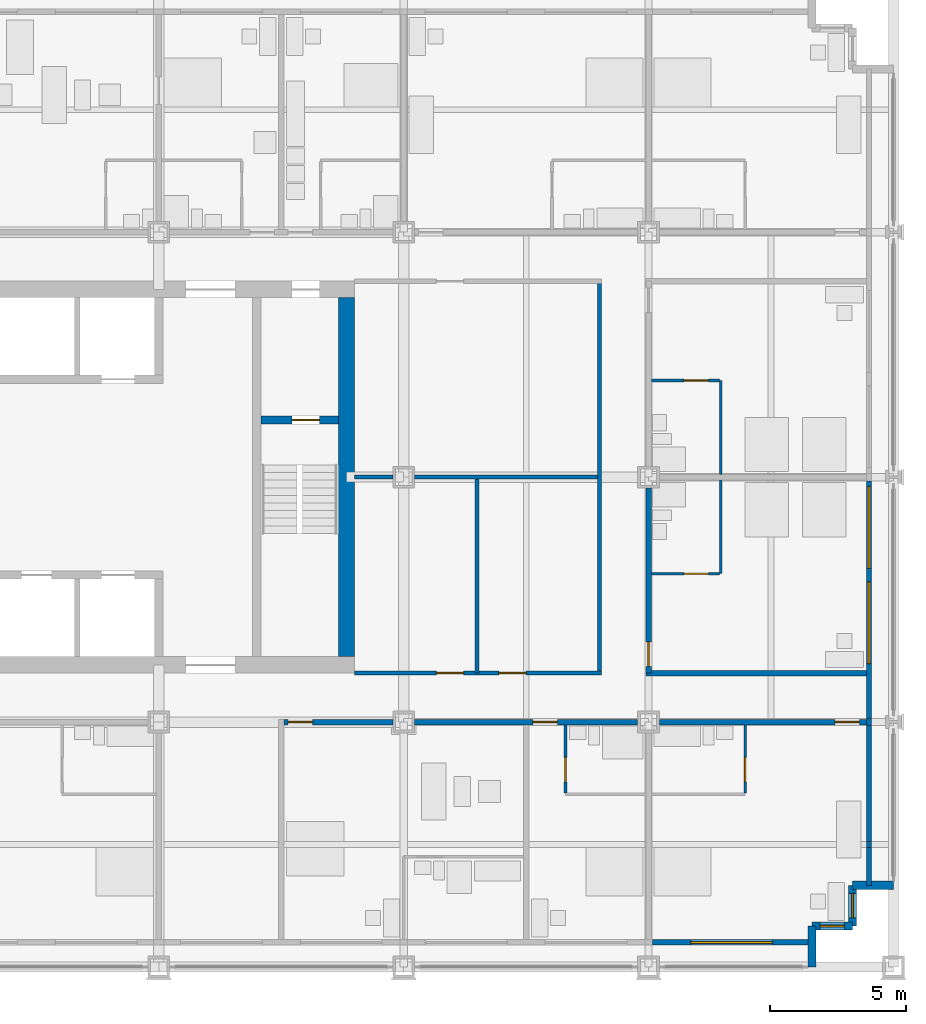
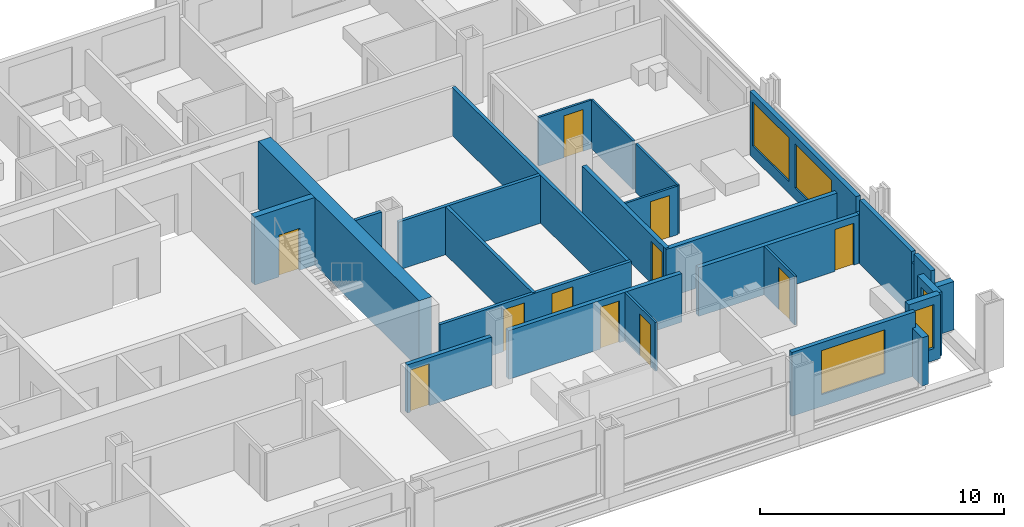
# One storey, part 13 of 18: 28 walls, 11 doors, 5 windows, 16 openings.
"""IFC4 building model written with IfcOpenShell, lengths in metres."""

from ifc_helpers import new_model, si_unit, direction, frame, frame_2d, origin, place, context, subcontext, project, spatial, rectangle, extrude, material, layer, layer_set, type_object, element, fill, save


model = new_model("IFC4")

# Units and contexts
model_context = context("Model", 3, precision=1e-05, world=origin(), true_north=direction((0.0, 1.0)))
body_context = subcontext(model_context, "Body", "Model", "MODEL_VIEW")
ifc_project = project(units=[si_unit("LENGTHUNIT", "METRE"), si_unit("AREAUNIT", "SQUARE_METRE"), si_unit("VOLUMEUNIT", "CUBIC_METRE"), si_unit("PLANEANGLEUNIT", "RADIAN"), si_unit("MASSUNIT", "GRAM", prefix="KILO")], contexts=[model_context])

# Site, building, storey
site_placement = place(None, origin())
site = spatial("IfcSite", under=ifc_project, at=site_placement, CompositionType="ELEMENT")
building_placement = place(site_placement, origin())
building = spatial("IfcBuilding", under=site, at=building_placement, Name="Loomwork Tower", CompositionType="ELEMENT")
storey_placement = place(building_placement, frame((0.0, 0.0, 34.800048828125)))
storey = spatial("IfcBuildingStorey", under=building, at=storey_placement, Name="L07", CompositionType="ELEMENT", Elevation=34.800048828125)

# Wall, opening, door
ifc_material_1 = material(Name="Concrete 14000 psi (97 MPa)", Category="concrete")
ifc_layer_1 = layer(ifc_material_1, 0.300048828125)
ifc_layer_set_1 = layer_set([ifc_layer_1], Name="Core shear wall 300")
wall_type_1 = type_object("IfcWallType", Name="Core shear wall 300", PredefinedType="SHEAR", material=ifc_layer_set_1)
wall_1_placement = place(storey_placement, frame((30.75, 20.10009765625, 0.0), z_axis=(0.0, 0.0, 1.0), x_axis=(1.0, 0.0, 0.0)))
wall_1 = element("IfcWall", 1, at=wall_1_placement, inside=storey, type_object=wall_type_1, Name="Stair B north wall L07", PredefinedType="SHEAR", context=body_context, shape_type="SweptSolid", body=[
    extrude(rectangle(XDim=2.85009765625, YDim=0.300048828125, at=frame_2d((1.425048828125, 0.0))), origin(), (0.0, 0.0, 1.0), 3.39990234375),
])
opening_1_placement = place(wall_1_placement, frame((1.14990234375, 0.0, 0.0)))
opening_1 = element("IfcOpeningElement", 2, at=opening_1_placement, cuts=wall_1, Name="Opening D4", PredefinedType="OPENING", context=body_context, shape_type="SweptSolid", body=[
    extrude(rectangle(XDim=1.0, YDim=2.10009765625, at=frame_2d((0.5, 1.050048828125))), frame((0.0, 0.159912109375, 0.0), z_axis=(0.0, -1.0, 0.0), x_axis=(1.0, 0.0, 0.0)), (0.0, 0.0, 1.0), 0.320068359375),
])
ifc_material_2 = material(Name="Hollow metal door and frame")
door_type_1 = type_object("IfcDoorType", Name="Stair door 1000", OperationType="SINGLE_SWING_RIGHT", PredefinedType="DOOR", material=ifc_material_2)
door_1_placement = place(opening_1_placement, frame((1.0, 0.0, 0.0), z_axis=(0.0, 0.0, 1.0), x_axis=(-1.0, 0.0, 0.0)))
door_1 = element("IfcDoor", 3, at=door_1_placement, inside=storey, type_object=door_type_1, Name="Stair B door", OperationType="SINGLE_SWING_LEFT", OverallHeight=2.10009765625, OverallWidth=1.0, PredefinedType="DOOR", context=body_context, shape_type="SweptSolid", body=[
    extrude(rectangle(XDim=1.0, YDim=2.10009765625, at=frame_2d((0.5, 1.050048828125))), frame((0.0, 0.02490234375, 0.0), z_axis=(0.0, -1.0, 0.0), x_axis=(1.0, 0.0, 0.0)), (0.0, 0.0, 1.0), 0.050048828125),
])
fill(opening_1, door_1)

# Wall
ifc_material_3 = material(Name="Concrete 14000 psi (97 MPa)", Category="concrete")
ifc_layer_2 = layer(ifc_material_3, 0.60009765625)
ifc_layer_set_2 = layer_set([ifc_layer_2], Name="Core shear wall 600")
wall_type_2 = type_object("IfcWallType", Name="Core shear wall 600", PredefinedType="SHEAR", material=ifc_layer_set_2)
wall_2_placement = place(storey_placement, frame((33.89990234375, 11.39990234375, 0.0), z_axis=(0.0, 0.0, 1.0), x_axis=(0.0, 1.0, 0.0)))
element("IfcWall", 4, at=wall_2_placement, inside=storey, type_object=wall_type_2, Name="Core wall east L07", PredefinedType="SHEAR", context=body_context, shape_type="SweptSolid", body=[
    extrude(rectangle(XDim=13.2001953125, YDim=0.60009765625, at=frame_2d((6.60009765625, 0.0))), origin(), (0.0, 0.0, 1.0), 3.39990234375),
])

# Wall, opening, door
ifc_material_4 = material(Name="Gypsum board on steel studs, one-hour", Category="steel")
ifc_layer_3 = layer(ifc_material_4, 0.199951171875)
ifc_layer_set_3 = layer_set([ifc_layer_3], Name="Corridor wall 200")
wall_type_3 = type_object("IfcWallType", Name="Corridor wall 200", PredefinedType="PARTITIONING", material=ifc_layer_set_3)
wall_3_placement = place(storey_placement, frame((31.60009765625, 9.0, 0.0), z_axis=(0.0, 0.0, 1.0), x_axis=(1.0, 0.0, 0.0)))
wall_3 = element("IfcWall", 5, at=wall_3_placement, inside=storey, type_object=wall_type_3, Name="South corridor wall 4", PredefinedType="PARTITIONING", context=body_context, shape_type="SweptSolid", body=[
    extrude(rectangle(XDim=4.0, YDim=0.199951171875, at=frame_2d((2.0, 0.0))), origin(), (0.0, 0.0, 1.0), 2.405029296875),
])
opening_2_placement = place(wall_3_placement, frame((0.14990234375, 0.0, 0.0)))
opening_2 = element("IfcOpeningElement", 6, at=opening_2_placement, cuts=wall_3, Name="Opening D1", PredefinedType="OPENING", context=body_context, shape_type="SweptSolid", body=[
    extrude(rectangle(XDim=0.89990234375, YDim=2.10009765625, at=frame_2d((0.449951171875, 1.050048828125))), frame((0.0, 0.10986328125, 0.0), z_axis=(0.0, -1.0, 0.0), x_axis=(1.0, 0.0, 0.0)), (0.0, 0.0, 1.0), 0.219970703125),
])
ifc_material_5 = material(Name="Hollow metal door and frame")
door_type_2 = type_object("IfcDoorType", Name="Guest room entry door 900", OperationType="SINGLE_SWING_LEFT", PredefinedType="DOOR", material=ifc_material_5)
door_2_placement = place(opening_2_placement, frame((0.89990234375, 0.0, 0.0), z_axis=(0.0, 0.0, 1.0), x_axis=(-1.0, 0.0, 0.0)))
door_2 = element("IfcDoor", 7, at=door_2_placement, inside=storey, type_object=door_type_2, Name="Guest room entry door L07 5", OperationType="SINGLE_SWING_RIGHT", OverallHeight=2.10009765625, OverallWidth=0.89990234375, PredefinedType="DOOR", context=body_context, shape_type="SweptSolid", body=[
    extrude(rectangle(XDim=0.89990234375, YDim=2.10009765625, at=frame_2d((0.449951171875, 1.050048828125))), frame((0.0, 0.02490234375, 0.0), z_axis=(0.0, -1.0, 0.0), x_axis=(1.0, 0.0, 0.0)), (0.0, 0.0, 1.0), 0.050048828125),
])
fill(opening_2, door_2)

wall_4_placement = place(storey_placement, frame((36.39990234375, 9.0, 0.0), z_axis=(0.0, 0.0, 1.0), x_axis=(1.0, 0.0, 0.0)))
wall_4 = element("IfcWall", 8, at=wall_4_placement, inside=storey, type_object=wall_type_3, Name="South corridor wall 5", PredefinedType="PARTITIONING", context=body_context, shape_type="SweptSolid", body=[
    extrude(rectangle(XDim=8.2001953125, YDim=0.199951171875, at=frame_2d((4.10009765625, 0.0))), origin(), (0.0, 0.0, 1.0), 2.43798828125),
])
opening_3_placement = place(wall_4_placement, frame((4.35009765625, 0.0, 0.0)))
opening_3 = element("IfcOpeningElement", 9, at=opening_3_placement, cuts=wall_4, Name="Opening D1", PredefinedType="OPENING", context=body_context, shape_type="SweptSolid", body=[
    extrude(rectangle(XDim=0.89990234375, YDim=2.10009765625, at=frame_2d((0.449951171875, 1.050048828125))), frame((0.0, 0.10986328125, 0.0), z_axis=(0.0, -1.0, 0.0), x_axis=(1.0, 0.0, 0.0)), (0.0, 0.0, 1.0), 0.219970703125),
])
door_3_placement = place(opening_3_placement, frame((0.89990234375, 0.0, 0.0), z_axis=(0.0, 0.0, 1.0), x_axis=(-1.0, 0.0, 0.0)))
door_3 = element("IfcDoor", 10, at=door_3_placement, inside=storey, type_object=door_type_2, Name="Guest room entry door L07 6", OperationType="SINGLE_SWING_RIGHT", OverallHeight=2.10009765625, OverallWidth=0.89990234375, PredefinedType="DOOR", context=body_context, shape_type="SweptSolid", body=[
    extrude(rectangle(XDim=0.89990234375, YDim=2.10009765625, at=frame_2d((0.449951171875, 1.050048828125))), frame((0.0, 0.02490234375, 0.0), z_axis=(0.0, -1.0, 0.0), x_axis=(1.0, 0.0, 0.0)), (0.0, 0.0, 1.0), 0.050048828125),
])
fill(opening_3, door_3)

wall_5_placement = place(storey_placement, frame((45.39990234375, 9.0, 0.0), z_axis=(0.0, 0.0, 1.0), x_axis=(1.0, 0.0, 0.0)))
wall_5 = element("IfcWall", 11, at=wall_5_placement, inside=storey, type_object=wall_type_3, Name="South corridor wall 6", PredefinedType="PARTITIONING", context=body_context, shape_type="SweptSolid", body=[
    extrude(rectangle(XDim=7.60009765625, YDim=0.199951171875, at=frame_2d((3.800048828125, 0.0))), origin(), (0.0, 0.0, 1.0), 2.43798828125),
])
opening_4_placement = place(wall_5_placement, frame((6.449951171875, 0.0, 0.0)))
opening_4 = element("IfcOpeningElement", 12, at=opening_4_placement, cuts=wall_5, Name="Opening D1", PredefinedType="OPENING", context=body_context, shape_type="SweptSolid", body=[
    extrude(rectangle(XDim=0.89990234375, YDim=2.10009765625, at=frame_2d((0.449951171875, 1.050048828125))), frame((0.0, 0.10986328125, 0.0), z_axis=(0.0, -1.0, 0.0), x_axis=(1.0, 0.0, 0.0)), (0.0, 0.0, 1.0), 0.219970703125),
])
door_4_placement = place(opening_4_placement, frame((0.89990234375, 0.0, 0.0), z_axis=(0.0, 0.0, 1.0), x_axis=(-1.0, 0.0, 0.0)))
door_4 = element("IfcDoor", 13, at=door_4_placement, inside=storey, type_object=door_type_2, Name="Guest room entry door L07 7", OperationType="SINGLE_SWING_LEFT", OverallHeight=2.10009765625, OverallWidth=0.89990234375, PredefinedType="DOOR", context=body_context, shape_type="SweptSolid", body=[
    extrude(rectangle(XDim=0.89990234375, YDim=2.10009765625, at=frame_2d((0.449951171875, 1.050048828125))), frame((0.0, 0.02490234375, 0.0), z_axis=(0.0, -1.0, 0.0), x_axis=(1.0, 0.0, 0.0)), (0.0, 0.0, 1.0), 0.050048828125),
])
fill(opening_4, door_4)

wall_6_placement = place(storey_placement, frame((45.0, 10.800048828125, 0.0), z_axis=(0.0, 0.0, 1.0), x_axis=(0.0, 1.0, 0.0)))
wall_6 = element("IfcWall", 14, at=wall_6_placement, inside=storey, type_object=wall_type_3, Name="East corridor wall 1", PredefinedType="PARTITIONING", context=body_context, shape_type="SweptSolid", body=[
    extrude(rectangle(XDim=6.800048828125, YDim=0.199951171875, at=frame_2d((3.39990234375, 0.0))), origin(), (0.0, 0.0, 1.0), 2.43798828125),
])
opening_5_placement = place(wall_6_placement, frame((0.25, 0.0, 0.0)))
opening_5 = element("IfcOpeningElement", 15, at=opening_5_placement, cuts=wall_6, Name="Opening D1", PredefinedType="OPENING", context=body_context, shape_type="SweptSolid", body=[
    extrude(rectangle(XDim=0.89990234375, YDim=2.10009765625, at=frame_2d((0.449951171875, 1.050048828125))), frame((0.0, 0.10986328125, 0.0), z_axis=(0.0, -1.0, 0.0), x_axis=(1.0, 0.0, 0.0)), (0.0, 0.0, 1.0), 0.219970703125),
])
door_5_placement = place(opening_5_placement, frame((0.89990234375, 0.0, 0.0), z_axis=(0.0, 0.0, 1.0), x_axis=(-1.0, 0.0, 0.0)))
door_5 = element("IfcDoor", 16, at=door_5_placement, inside=storey, type_object=door_type_2, Name="Guest room entry door L07 18", OperationType="SINGLE_SWING_RIGHT", OverallHeight=2.10009765625, OverallWidth=0.89990234375, PredefinedType="DOOR", context=body_context, shape_type="SweptSolid", body=[
    extrude(rectangle(XDim=0.89990234375, YDim=2.10009765625, at=frame_2d((0.449951171875, 1.050048828125))), frame((0.0, 0.02490234375, 0.0), z_axis=(0.0, -1.0, 0.0), x_axis=(1.0, 0.0, 0.0)), (0.0, 0.0, 1.0), 0.050048828125),
])
fill(opening_5, door_5)

# Wall
wall_7_placement = place(storey_placement, frame((44.89990234375, 10.800048828125, 0.0), z_axis=(0.0, 0.0, 1.0), x_axis=(1.0, 0.0, 0.0)))
element("IfcWall", 17, at=wall_7_placement, inside=storey, type_object=wall_type_3, Name="East band end wall S", PredefinedType="PARTITIONING", context=body_context, shape_type="SweptSolid", body=[
    extrude(rectangle(XDim=8.10009765625, YDim=0.199951171875, at=frame_2d((4.050048828125, 0.0))), origin(), (0.0, 0.0, 1.0), 2.43798828125),
])

# Wall, opening, door
ifc_material_6 = material(Name="Cement board on steel studs", Category="steel")
ifc_layer_4 = layer(ifc_material_6, 0.10009765625)
ifc_layer_set_4 = layer_set([ifc_layer_4], Name="En-suite partition 100")
wall_type_4 = type_object("IfcWallType", Name="En-suite partition 100", PredefinedType="PARTITIONING", material=ifc_layer_set_4)
wall_8_placement = place(storey_placement, frame((41.949951171875, 8.89990234375, 0.0), z_axis=(0.0, 0.0, 1.0), x_axis=(0.0, -1.0, 0.0)))
wall_8 = element("IfcWall", 18, at=wall_8_placement, inside=storey, type_object=wall_type_4, Name="En-suite side wall L07 room 6", PredefinedType="PARTITIONING", context=body_context, shape_type="SweptSolid", body=[
    extrude(rectangle(XDim=2.5, YDim=0.10009765625, at=frame_2d((1.25, 0.0))), origin(), (0.0, 0.0, 1.0), 2.43798828125),
])
opening_6_placement = place(wall_8_placement, frame((1.199951171875, 0.0, 0.0)))
opening_6 = element("IfcOpeningElement", 19, at=opening_6_placement, cuts=wall_8, Name="Opening D3", PredefinedType="OPENING", context=body_context, shape_type="SweptSolid", body=[
    extrude(rectangle(XDim=0.89990234375, YDim=2.10009765625, at=frame_2d((0.449951171875, 1.050048828125))), frame((0.0, 0.06005859375, 0.0), z_axis=(0.0, -1.0, 0.0), x_axis=(1.0, 0.0, 0.0)), (0.0, 0.0, 1.0), 0.1201171875),
])
ifc_material_7 = material(Name="Hollow metal door and frame")
door_type_3 = type_object("IfcDoorType", Name="Accessible en-suite door 900", OperationType="SLIDING_TO_LEFT", PredefinedType="DOOR", material=ifc_material_7)
door_6_placement = place(opening_6_placement, origin())
door_6 = element("IfcDoor", 20, at=door_6_placement, inside=storey, type_object=door_type_3, Name="Accessible en-suite door room 6", OperationType="SLIDING_TO_LEFT", OverallHeight=2.10009765625, OverallWidth=0.89990234375, PredefinedType="DOOR", context=body_context, shape_type="SweptSolid", body=[
    extrude(rectangle(XDim=0.89990234375, YDim=2.10009765625, at=frame_2d((0.449951171875, 1.050048828125))), frame((0.0, 0.02490234375, 0.0), z_axis=(0.0, -1.0, 0.0), x_axis=(1.0, 0.0, 0.0)), (0.0, 0.0, 1.0), 0.050048828125),
])
fill(opening_6, door_6)

wall_9_placement = place(storey_placement, frame((48.550048828125, 8.89990234375, 0.0), z_axis=(0.0, 0.0, 1.0), x_axis=(0.0, -1.0, 0.0)))
wall_9 = element("IfcWall", 21, at=wall_9_placement, inside=storey, type_object=wall_type_4, Name="En-suite side wall L07 room 7", PredefinedType="PARTITIONING", context=body_context, shape_type="SweptSolid", body=[
    extrude(rectangle(XDim=2.5, YDim=0.10009765625, at=frame_2d((1.25, 0.0))), origin(), (0.0, 0.0, 1.0), 2.43798828125),
])
opening_7_placement = place(wall_9_placement, frame((1.199951171875, 0.0, 0.0)))
opening_7 = element("IfcOpeningElement", 22, at=opening_7_placement, cuts=wall_9, Name="Opening D2", PredefinedType="OPENING", context=body_context, shape_type="SweptSolid", body=[
    extrude(rectangle(XDim=0.89990234375, YDim=2.10009765625, at=frame_2d((0.449951171875, 1.050048828125))), frame((0.0, 0.06005859375, 0.0), z_axis=(0.0, -1.0, 0.0), x_axis=(1.0, 0.0, 0.0)), (0.0, 0.0, 1.0), 0.1201171875),
])
ifc_material_8 = material(Name="Hollow metal door and frame")
door_type_4 = type_object("IfcDoorType", Name="En-suite door 900", OperationType="SINGLE_SWING_LEFT", PredefinedType="DOOR", material=ifc_material_8)
door_7_placement = place(opening_7_placement, frame((0.89990234375, 0.0, 0.0), z_axis=(0.0, 0.0, 1.0), x_axis=(-1.0, 0.0, 0.0)))
door_7 = element("IfcDoor", 23, at=door_7_placement, inside=storey, type_object=door_type_4, Name="En-suite door room 7", OperationType="SINGLE_SWING_LEFT", OverallHeight=2.10009765625, OverallWidth=0.89990234375, PredefinedType="DOOR", context=body_context, shape_type="SweptSolid", body=[
    extrude(rectangle(XDim=0.89990234375, YDim=2.10009765625, at=frame_2d((0.449951171875, 1.050048828125))), frame((0.0, 0.02490234375, 0.0), z_axis=(0.0, -1.0, 0.0), x_axis=(1.0, 0.0, 0.0)), (0.0, 0.0, 1.0), 0.050048828125),
])
fill(opening_7, door_7)

# Wall
wall_10_placement = place(storey_placement, frame((47.64990234375, 14.449951171875, 0.0), z_axis=(0.0, 0.0, 1.0), x_axis=(0.0, 1.0, 0.0)))
element("IfcWall", 24, at=wall_10_placement, inside=storey, type_object=wall_type_4, Name="En-suite wall L07 room 18", PredefinedType="PARTITIONING", context=body_context, shape_type="SweptSolid", body=[
    extrude(rectangle(XDim=3.449951171875, YDim=0.10009765625, at=frame_2d((1.72509765625, 0.0))), origin(), (0.0, 0.0, 1.0), 2.43798828125),
])

# Wall, opening, door
wall_11_placement = place(storey_placement, frame((45.10009765625, 14.449951171875, 0.0), z_axis=(0.0, 0.0, 1.0), x_axis=(1.0, 0.0, 0.0)))
wall_11 = element("IfcWall", 25, at=wall_11_placement, inside=storey, type_object=wall_type_4, Name="En-suite side wall L07 room 18", PredefinedType="PARTITIONING", context=body_context, shape_type="SweptSolid", body=[
    extrude(rectangle(XDim=2.5, YDim=0.10009765625, at=frame_2d((1.25, 0.0))), origin(), (0.0, 0.0, 1.0), 2.43798828125),
])
opening_8_placement = place(wall_11_placement, frame((1.199951171875, 0.0, 0.0)))
opening_8 = element("IfcOpeningElement", 26, at=opening_8_placement, cuts=wall_11, Name="Opening D2", PredefinedType="OPENING", context=body_context, shape_type="SweptSolid", body=[
    extrude(rectangle(XDim=0.89990234375, YDim=2.10009765625, at=frame_2d((0.449951171875, 1.050048828125))), frame((0.0, 0.06005859375, 0.0), z_axis=(0.0, -1.0, 0.0), x_axis=(1.0, 0.0, 0.0)), (0.0, 0.0, 1.0), 0.1201171875),
])
door_8_placement = place(opening_8_placement, origin())
door_8 = element("IfcDoor", 27, at=door_8_placement, inside=storey, type_object=door_type_4, Name="En-suite door room 18", OperationType="SINGLE_SWING_RIGHT", OverallHeight=2.10009765625, OverallWidth=0.89990234375, PredefinedType="DOOR", context=body_context, shape_type="SweptSolid", body=[
    extrude(rectangle(XDim=0.89990234375, YDim=2.10009765625, at=frame_2d((0.449951171875, 1.050048828125))), frame((0.0, 0.02490234375, 0.0), z_axis=(0.0, -1.0, 0.0), x_axis=(1.0, 0.0, 0.0)), (0.0, 0.0, 1.0), 0.050048828125),
])
fill(opening_8, door_8)

# Wall
wall_12_placement = place(storey_placement, frame((47.64990234375, 18.10009765625, 0.0), z_axis=(0.0, 0.0, 1.0), x_axis=(0.0, 1.0, 0.0)))
element("IfcWall", 28, at=wall_12_placement, inside=storey, type_object=wall_type_4, Name="En-suite wall L07 room 19", PredefinedType="PARTITIONING", context=body_context, shape_type="SweptSolid", body=[
    extrude(rectangle(XDim=3.449951171875, YDim=0.10009765625, at=frame_2d((1.72509765625, 0.0))), origin(), (0.0, 0.0, 1.0), 2.43798828125),
])

# Wall, opening, door
wall_13_placement = place(storey_placement, frame((45.10009765625, 21.550048828125, 0.0), z_axis=(0.0, 0.0, 1.0), x_axis=(1.0, 0.0, 0.0)))
wall_13 = element("IfcWall", 29, at=wall_13_placement, inside=storey, type_object=wall_type_4, Name="En-suite side wall L07 room 19", PredefinedType="PARTITIONING", context=body_context, shape_type="SweptSolid", body=[
    extrude(rectangle(XDim=2.5, YDim=0.10009765625, at=frame_2d((1.25, 0.0))), origin(), (0.0, 0.0, 1.0), 2.43798828125),
])
opening_9_placement = place(wall_13_placement, frame((1.199951171875, 0.0, 0.0)))
opening_9 = element("IfcOpeningElement", 30, at=opening_9_placement, cuts=wall_13, Name="Opening D2", PredefinedType="OPENING", context=body_context, shape_type="SweptSolid", body=[
    extrude(rectangle(XDim=0.89990234375, YDim=2.10009765625, at=frame_2d((0.449951171875, 1.050048828125))), frame((0.0, 0.06005859375, 0.0), z_axis=(0.0, -1.0, 0.0), x_axis=(1.0, 0.0, 0.0)), (0.0, 0.0, 1.0), 0.1201171875),
])
door_9_placement = place(opening_9_placement, frame((0.89990234375, 0.0, 0.0), z_axis=(0.0, 0.0, 1.0), x_axis=(-1.0, 0.0, 0.0)))
door_9 = element("IfcDoor", 31, at=door_9_placement, inside=storey, type_object=door_type_4, Name="En-suite door room 19", OperationType="SINGLE_SWING_LEFT", OverallHeight=2.10009765625, OverallWidth=0.89990234375, PredefinedType="DOOR", context=body_context, shape_type="SweptSolid", body=[
    extrude(rectangle(XDim=0.89990234375, YDim=2.10009765625, at=frame_2d((0.449951171875, 1.050048828125))), frame((0.0, 0.02490234375, 0.0), z_axis=(0.0, -1.0, 0.0), x_axis=(1.0, 0.0, 0.0)), (0.0, 0.0, 1.0), 0.050048828125),
])
fill(opening_9, door_9)

# Wall
ifc_material_9 = material(Name="Insulated steel stud wall with gypsum lining", Category="steel")
ifc_layer_5 = layer(ifc_material_9, 0.199951171875)
ifc_layer_set_5 = layer_set([ifc_layer_5], Name="Inner skin wall 200")
wall_type_5 = type_object("IfcWallType", Name="Inner skin wall 200", PredefinedType="SOLIDWALL", material=ifc_layer_set_5)
wall_14_placement = place(storey_placement, frame((53.10009765625, 3.0, 0.0), z_axis=(0.0, 0.0, 1.0), x_axis=(0.0, 1.0, 0.0)))
element("IfcWall", 32, at=wall_14_placement, inside=storey, type_object=wall_type_5, Name="Inner skin wall E", PredefinedType="SOLIDWALL", context=body_context, shape_type="SweptSolid", body=[
    extrude(rectangle(XDim=1.392578125, YDim=0.199951171875, at=frame_2d((0.6962890625, 0.0))), origin(), (0.0, 0.0, 1.0), 3.199951171875),
])

# Wall, opening, window
wall_15_placement = place(storey_placement, frame((45.135498046875, 0.89990234375, 0.0), z_axis=(0.0, 0.0, 1.0), x_axis=(1.0, 0.0, 0.0)))
wall_15 = element("IfcWall", 33, at=wall_15_placement, inside=storey, type_object=wall_type_5, Name="Inner skin wall S bay 11", PredefinedType="SOLIDWALL", context=body_context, shape_type="SweptSolid", body=[
    extrude(rectangle(XDim=5.864501953125, YDim=0.199951171875, at=frame_2d((2.93212890625, 0.0))), origin(), (0.0, 0.0, 1.0), 3.199951171875),
])
opening_10_placement = place(wall_15_placement, frame((1.41455078125, 0.0, 0.60009765625)))
opening_10 = element("IfcOpeningElement", 34, at=opening_10_placement, cuts=wall_15, Name="Opening CH1", PredefinedType="OPENING", context=body_context, shape_type="SweptSolid", body=[
    extrude(rectangle(XDim=3.0, YDim=2.199951171875, at=frame_2d((1.5, 1.10009765625))), frame((0.0, 0.10986328125, 0.0), z_axis=(0.0, -1.0, 0.0), x_axis=(1.0, 0.0, 0.0)), (0.0, 0.0, 1.0), 0.219970703125),
])
ifc_material_10 = material(Name="Aluminium frame with clear insulated glass", Category="aluminium")
window_type_1 = type_object("IfcWindowType", Name="Chicago window 3000", PartitioningType="TRIPLE_PANEL_VERTICAL", PredefinedType="WINDOW", material=ifc_material_10)
window_1_placement = place(opening_10_placement, origin())
window_1 = element("IfcWindow", 35, at=window_1_placement, inside=storey, type_object=window_type_1, Name="Chicago window L07 bay 6", OverallHeight=2.199951171875, OverallWidth=3.0, PartitioningType="TRIPLE_PANEL_VERTICAL", PredefinedType="WINDOW", context=body_context, shape_type="SweptSolid", body=[
    extrude(rectangle(XDim=3.0, YDim=2.199951171875, at=frame_2d((1.5, 1.10009765625))), frame((0.0, 0.030029296875, 0.0), z_axis=(0.0, -1.0, 0.0), x_axis=(1.0, 0.0, 0.0)), (0.0, 0.0, 1.0), 0.06005859375),
])
fill(opening_10, window_1)

# Walls
wall_16_placement = place(storey_placement, frame((53.10009765625, 4.392578125, 0.0), z_axis=(0.0, 0.0, 1.0), x_axis=(0.0, 1.0, 0.0)))
element("IfcWall", 36, at=wall_16_placement, inside=storey, type_object=wall_type_5, Name="Inner skin wall E bay 2", PredefinedType="SOLIDWALL", context=body_context, shape_type="SweptSolid", body=[
    extrude(rectangle(XDim=0.21484375, YDim=0.199951171875, at=frame_2d((0.107421875, 0.0))), origin(), (0.0, 0.0, 1.0), 2.660888671875),
])
wall_17_placement = place(storey_placement, frame((53.10009765625, 4.607421875, 0.0), z_axis=(0.0, 0.0, 1.0), x_axis=(0.0, 1.0, 0.0)))
element("IfcWall", 37, at=wall_17_placement, inside=storey, type_object=wall_type_5, Name="Inner skin wall E bay 3", PredefinedType="SOLIDWALL", context=body_context, shape_type="SweptSolid", body=[
    extrude(rectangle(XDim=4.25732421875, YDim=0.199951171875, at=frame_2d((2.128662109375, 0.0))), origin(), (0.0, 0.0, 1.0), 3.199951171875),
])
wall_18_placement = place(storey_placement, frame((53.10009765625, 8.86474609375, 0.0), z_axis=(0.0, 0.0, 1.0), x_axis=(0.0, 1.0, 0.0)))
element("IfcWall", 38, at=wall_18_placement, inside=storey, type_object=wall_type_5, Name="Inner skin wall E bay 4", PredefinedType="SOLIDWALL", context=body_context, shape_type="SweptSolid", body=[
    extrude(rectangle(XDim=0.2705078125, YDim=0.199951171875, at=frame_2d((0.13525390625, 0.0))), origin(), (0.0, 0.0, 1.0), 2.43798828125),
])

# Wall, openings, windows
wall_19_placement = place(storey_placement, frame((53.10009765625, 9.13525390625, 0.0), z_axis=(0.0, 0.0, 1.0), x_axis=(0.0, 1.0, 0.0)))
wall_19 = element("IfcWall", 39, at=wall_19_placement, inside=storey, type_object=wall_type_5, Name="Inner skin wall E bay 5", PredefinedType="SOLIDWALL", context=body_context, shape_type="SweptSolid", body=[
    extrude(rectangle(XDim=8.729248046875, YDim=0.199951171875, at=frame_2d((4.36474609375, 0.0))), origin(), (0.0, 0.0, 1.0), 3.199951171875),
])
opening_11_placement = place(wall_19_placement, frame((2.0146484375, 0.0, 0.60009765625)))
opening_11 = element("IfcOpeningElement", 40, at=opening_11_placement, cuts=wall_19, Name="Opening CH1", PredefinedType="OPENING", context=body_context, shape_type="SweptSolid", body=[
    extrude(rectangle(XDim=3.0, YDim=2.199951171875, at=frame_2d((1.5, 1.10009765625))), frame((0.0, 0.10986328125, 0.0), z_axis=(0.0, -1.0, 0.0), x_axis=(1.0, 0.0, 0.0)), (0.0, 0.0, 1.0), 0.219970703125),
])
opening_12_placement = place(wall_19_placement, frame((5.5146484375, 0.0, 0.60009765625)))
opening_12 = element("IfcOpeningElement", 41, at=opening_12_placement, cuts=wall_19, Name="Opening CH1", PredefinedType="OPENING", context=body_context, shape_type="SweptSolid", body=[
    extrude(rectangle(XDim=3.0, YDim=2.199951171875, at=frame_2d((1.5, 1.10009765625))), frame((0.0, 0.10986328125, 0.0), z_axis=(0.0, -1.0, 0.0), x_axis=(1.0, 0.0, 0.0)), (0.0, 0.0, 1.0), 0.219970703125),
])
window_2_placement = place(opening_11_placement, origin())
window_2 = element("IfcWindow", 42, at=window_2_placement, inside=storey, type_object=window_type_1, Name="Chicago window L07 bay 15", OverallHeight=2.199951171875, OverallWidth=3.0, PartitioningType="TRIPLE_PANEL_VERTICAL", PredefinedType="WINDOW", context=body_context, shape_type="SweptSolid", body=[
    extrude(rectangle(XDim=3.0, YDim=2.199951171875, at=frame_2d((1.5, 1.10009765625))), frame((0.0, 0.030029296875, 0.0), z_axis=(0.0, -1.0, 0.0), x_axis=(1.0, 0.0, 0.0)), (0.0, 0.0, 1.0), 0.06005859375),
])
fill(opening_11, window_2)
window_3_placement = place(opening_12_placement, origin())
window_3 = element("IfcWindow", 43, at=window_3_placement, inside=storey, type_object=window_type_1, Name="Chicago window L07 bay 15", OverallHeight=2.199951171875, OverallWidth=3.0, PartitioningType="TRIPLE_PANEL_VERTICAL", PredefinedType="WINDOW", context=body_context, shape_type="SweptSolid", body=[
    extrude(rectangle(XDim=3.0, YDim=2.199951171875, at=frame_2d((1.5, 1.10009765625))), frame((0.0, 0.030029296875, 0.0), z_axis=(0.0, -1.0, 0.0), x_axis=(1.0, 0.0, 0.0)), (0.0, 0.0, 1.0), 0.06005859375),
])
fill(opening_12, window_3)

# Wall
ifc_material_11 = material(Name="Limestone on concrete masonry", Category="masonry")
ifc_layer_6 = layer(ifc_material_11, 0.300048828125)
ifc_layer_set_6 = layer_set([ifc_layer_6], Name="Limestone corner wall 300")
wall_type_6 = type_object("IfcWallType", Name="Limestone corner wall 300", PredefinedType="SOLIDWALL", material=ifc_layer_set_6)
wall_20_placement = place(storey_placement, frame((51.0, 0.0, 0.0), z_axis=(0.0, 0.0, 1.0), x_axis=(0.0, 1.0, 0.0)))
element("IfcWall", 44, at=wall_20_placement, inside=storey, type_object=wall_type_6, Name="Stone corner wall SE 1", PredefinedType="SOLIDWALL", context=body_context, shape_type="SweptSolid", body=[
    extrude(rectangle(XDim=1.5, YDim=0.300048828125, at=frame_2d((0.75, 0.0))), origin(), (0.0, 0.0, 1.0), 2.419921875),
])

# Wall, opening, window
wall_21_placement = place(storey_placement, frame((51.0, 1.5, 0.0), z_axis=(0.0, 0.0, 1.0), x_axis=(1.0, 0.0, 0.0)))
wall_21 = element("IfcWall", 45, at=wall_21_placement, inside=storey, type_object=wall_type_6, Name="Stone corner wall SE 2", PredefinedType="SOLIDWALL", context=body_context, shape_type="SweptSolid", body=[
    extrude(rectangle(XDim=1.5, YDim=0.300048828125, at=frame_2d((0.75, 0.0))), origin(), (0.0, 0.0, 1.0), 3.199951171875),
])
opening_13_placement = place(wall_21_placement, frame((0.300048828125, 0.0, 0.60009765625)))
opening_13 = element("IfcOpeningElement", 46, at=opening_13_placement, cuts=wall_21, Name="Opening CH2", PredefinedType="OPENING", context=body_context, shape_type="SweptSolid", body=[
    extrude(rectangle(XDim=0.89990234375, YDim=2.199951171875, at=frame_2d((0.449951171875, 1.10009765625))), frame((0.0, 0.159912109375, 0.0), z_axis=(0.0, -1.0, 0.0), x_axis=(1.0, 0.0, 0.0)), (0.0, 0.0, 1.0), 0.320068359375),
])
ifc_material_12 = material(Name="Aluminium frame with clear insulated glass", Category="aluminium")
window_type_2 = type_object("IfcWindowType", Name="Corner window 900", PartitioningType="SINGLE_PANEL", PredefinedType="WINDOW", material=ifc_material_12)
window_4_placement = place(opening_13_placement, origin())
window_4 = element("IfcWindow", 47, at=window_4_placement, inside=storey, type_object=window_type_2, Name="Corner window SE", OverallHeight=2.199951171875, OverallWidth=0.89990234375, PartitioningType="SINGLE_PANEL", PredefinedType="WINDOW", context=body_context, shape_type="SweptSolid", body=[
    extrude(rectangle(XDim=0.89990234375, YDim=2.199951171875, at=frame_2d((0.449951171875, 1.10009765625))), frame((0.0, 0.030029296875, 0.0), z_axis=(0.0, -1.0, 0.0), x_axis=(1.0, 0.0, 0.0)), (0.0, 0.0, 1.0), 0.06005859375),
])
fill(opening_13, window_4)

wall_22_placement = place(storey_placement, frame((52.5, 1.5, 0.0), z_axis=(0.0, 0.0, 1.0), x_axis=(0.0, 1.0, 0.0)))
wall_22 = element("IfcWall", 48, at=wall_22_placement, inside=storey, type_object=wall_type_6, Name="Stone corner wall SE 3", PredefinedType="SOLIDWALL", context=body_context, shape_type="SweptSolid", body=[
    extrude(rectangle(XDim=1.5, YDim=0.300048828125, at=frame_2d((0.75, 0.0))), origin(), (0.0, 0.0, 1.0), 3.199951171875),
])
opening_14_placement = place(wall_22_placement, frame((0.300048828125, 0.0, 0.60009765625)))
opening_14 = element("IfcOpeningElement", 49, at=opening_14_placement, cuts=wall_22, Name="Opening CH2", PredefinedType="OPENING", context=body_context, shape_type="SweptSolid", body=[
    extrude(rectangle(XDim=0.89990234375, YDim=2.199951171875, at=frame_2d((0.449951171875, 1.10009765625))), frame((0.0, 0.159912109375, 0.0), z_axis=(0.0, -1.0, 0.0), x_axis=(1.0, 0.0, 0.0)), (0.0, 0.0, 1.0), 0.320068359375),
])
window_5_placement = place(opening_14_placement, origin())
window_5 = element("IfcWindow", 50, at=window_5_placement, inside=storey, type_object=window_type_2, Name="Corner window SE", OverallHeight=2.199951171875, OverallWidth=0.89990234375, PartitioningType="SINGLE_PANEL", PredefinedType="WINDOW", context=body_context, shape_type="SweptSolid", body=[
    extrude(rectangle(XDim=0.89990234375, YDim=2.199951171875, at=frame_2d((0.449951171875, 1.10009765625))), frame((0.0, 0.030029296875, 0.0), z_axis=(0.0, -1.0, 0.0), x_axis=(1.0, 0.0, 0.0)), (0.0, 0.0, 1.0), 0.06005859375),
])
fill(opening_14, window_5)

# Wall
wall_23_placement = place(storey_placement, frame((52.5, 3.0, 0.0), z_axis=(0.0, 0.0, 1.0), x_axis=(1.0, 0.0, 0.0)))
element("IfcWall", 51, at=wall_23_placement, inside=storey, type_object=wall_type_6, Name="Stone corner wall SE 4", PredefinedType="SOLIDWALL", context=body_context, shape_type="SweptSolid", body=[
    extrude(rectangle(XDim=1.5, YDim=0.300048828125, at=frame_2d((0.75, 0.0))), origin(), (0.0, 0.0, 1.0), 2.419921875),
])

# Wall, openings, doors
ifc_material_13 = material(Name="Gypsum board on steel studs, one-hour", Category="steel")
ifc_layer_7 = layer(ifc_material_13, 0.14990234375)
ifc_layer_set_7 = layer_set([ifc_layer_7], Name="Service partition 150")
wall_type_7 = type_object("IfcWallType", Name="Service partition 150", PredefinedType="PARTITIONING", material=ifc_layer_set_7)
wall_24_placement = place(storey_placement, frame((34.199951171875, 10.800048828125, 0.0), z_axis=(0.0, 0.0, 1.0), x_axis=(1.0, 0.0, 0.0)))
wall_24 = element("IfcWall", 52, at=wall_24_placement, inside=storey, type_object=wall_type_7, Name="Service block wall S", PredefinedType="PARTITIONING", context=body_context, shape_type="SweptSolid", body=[
    extrude(rectangle(XDim=9.074951171875, YDim=0.14990234375, at=frame_2d((4.53759765625, 0.0))), origin(), (0.0, 0.0, 1.0), 2.404052734375),
])
opening_15_placement = place(wall_24_placement, frame((5.300048828125, 0.0, 0.0)))
opening_15 = element("IfcOpeningElement", 53, at=opening_15_placement, cuts=wall_24, Name="Opening D5", PredefinedType="OPENING", context=body_context, shape_type="SweptSolid", body=[
    extrude(rectangle(XDim=1.0, YDim=2.10009765625, at=frame_2d((0.5, 1.050048828125))), frame((0.0, 0.0849609375, 0.0), z_axis=(0.0, -1.0, 0.0), x_axis=(1.0, 0.0, 0.0)), (0.0, 0.0, 1.0), 0.169921875),
])
opening_16_placement = place(wall_24_placement, frame((3.0, 0.0, 0.0)))
opening_16 = element("IfcOpeningElement", 54, at=opening_16_placement, cuts=wall_24, Name="Opening D5", PredefinedType="OPENING", context=body_context, shape_type="SweptSolid", body=[
    extrude(rectangle(XDim=1.0, YDim=2.10009765625, at=frame_2d((0.5, 1.050048828125))), frame((0.0, 0.0849609375, 0.0), z_axis=(0.0, -1.0, 0.0), x_axis=(1.0, 0.0, 0.0)), (0.0, 0.0, 1.0), 0.169921875),
])
ifc_material_14 = material(Name="Hollow metal door and frame")
door_type_5 = type_object("IfcDoorType", Name="Service door 1000", OperationType="SINGLE_SWING_LEFT", PredefinedType="DOOR", material=ifc_material_14)
door_10_placement = place(opening_15_placement, origin())
door_10 = element("IfcDoor", 55, at=door_10_placement, inside=storey, type_object=door_type_5, Name="Linen store door", OperationType="SINGLE_SWING_LEFT", OverallHeight=2.10009765625, OverallWidth=1.0, PredefinedType="DOOR", context=body_context, shape_type="SweptSolid", body=[
    extrude(rectangle(XDim=1.0, YDim=2.10009765625, at=frame_2d((0.5, 1.050048828125))), frame((0.0, 0.02490234375, 0.0), z_axis=(0.0, -1.0, 0.0), x_axis=(1.0, 0.0, 0.0)), (0.0, 0.0, 1.0), 0.050048828125),
])
fill(opening_15, door_10)
door_11_placement = place(opening_16_placement, origin())
door_11 = element("IfcDoor", 56, at=door_11_placement, inside=storey, type_object=door_type_5, Name="Housekeeping store door", OperationType="SINGLE_SWING_RIGHT", OverallHeight=2.10009765625, OverallWidth=1.0, PredefinedType="DOOR", context=body_context, shape_type="SweptSolid", body=[
    extrude(rectangle(XDim=1.0, YDim=2.10009765625, at=frame_2d((0.5, 1.050048828125))), frame((0.0, 0.02490234375, 0.0), z_axis=(0.0, -1.0, 0.0), x_axis=(1.0, 0.0, 0.0)), (0.0, 0.0, 1.0), 0.050048828125),
])
fill(opening_16, door_11)

# Walls
wall_25_placement = place(storey_placement, frame((43.199951171875, 10.800048828125, 0.0), z_axis=(0.0, 0.0, 1.0), x_axis=(0.0, 1.0, 0.0)))
element("IfcWall", 57, at=wall_25_placement, inside=storey, type_object=wall_type_7, Name="Service block east wall", PredefinedType="PARTITIONING", context=body_context, shape_type="SweptSolid", body=[
    extrude(rectangle(XDim=14.39990234375, YDim=0.14990234375, at=frame_2d((7.199951171875, 0.0))), origin(), (0.0, 0.0, 1.0), 2.404052734375),
])
wall_26_placement = place(storey_placement, frame((34.199951171875, 18.0, 0.0), z_axis=(0.0, 0.0, 1.0), x_axis=(1.0, 0.0, 0.0)))
element("IfcWall", 58, at=wall_26_placement, inside=storey, type_object=wall_type_7, Name="Service block divider", PredefinedType="PARTITIONING", context=body_context, shape_type="SweptSolid", body=[
    extrude(rectangle(XDim=1.400146484375, YDim=0.14990234375, at=frame_2d((0.7001953125, 0.0))), origin(), (0.0, 0.0, 1.0), 3.199951171875),
])
wall_27_placement = place(storey_placement, frame((36.39990234375, 18.0, 0.0), z_axis=(0.0, 0.0, 1.0), x_axis=(1.0, 0.0, 0.0)))
element("IfcWall", 59, at=wall_27_placement, inside=storey, type_object=wall_type_7, Name="Service block divider", PredefinedType="PARTITIONING", context=body_context, shape_type="SweptSolid", body=[
    extrude(rectangle(XDim=6.72509765625, YDim=0.14990234375, at=frame_2d((3.362548828125, 0.0))), origin(), (0.0, 0.0, 1.0), 2.405029296875),
])
wall_28_placement = place(storey_placement, frame((38.699951171875, 10.800048828125, 0.0), z_axis=(0.0, 0.0, 1.0), x_axis=(0.0, 1.0, 0.0)))
element("IfcWall", 60, at=wall_28_placement, inside=storey, type_object=wall_type_7, Name="Housekeeping partition L07", PredefinedType="PARTITIONING", context=body_context, shape_type="SweptSolid", body=[
    extrude(rectangle(XDim=7.199951171875, YDim=0.14990234375, at=frame_2d((3.60009765625, 0.0))), origin(), (0.0, 0.0, 1.0), 2.404052734375),
])

save(model, "model.ifc")
